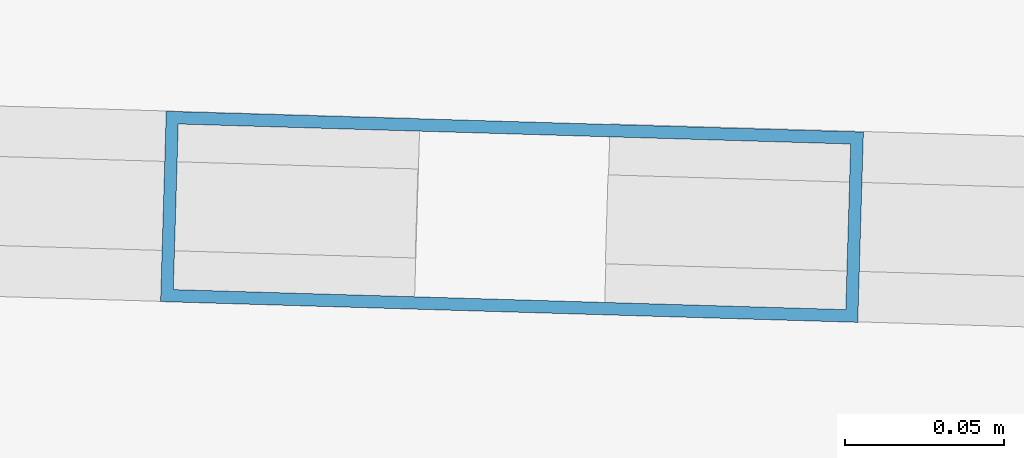
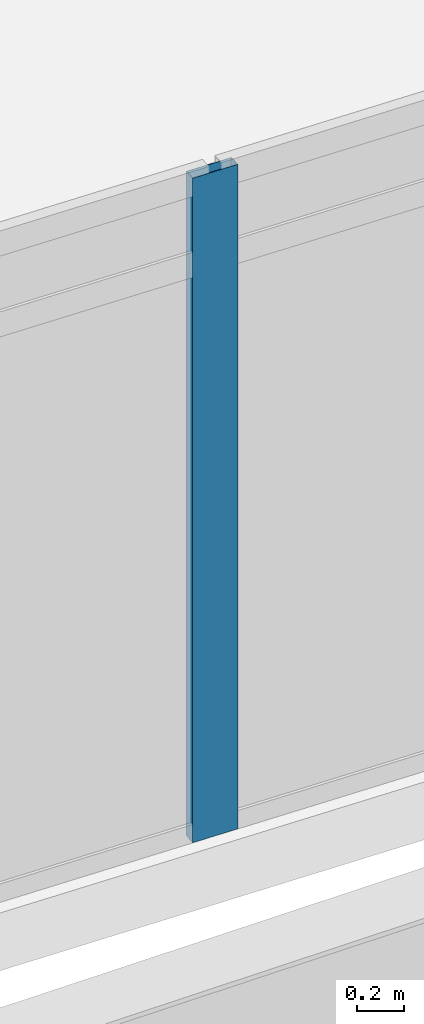
# One storey, part 7 of 37: 1 member, 1 element without a shape of its own.
"""IFC4 building model written with IfcOpenShell, lengths in metres."""

import ifcopenshell
import ifcopenshell.guid

model = None  # the IFC model being written
_history = None  # IfcOwnerHistory: only IFC2X3 demands one
_inside = {}  # id of a spatial element -> (the spatial element, [elements in it])
_under = {}  # id of a project, library or spatial element -> (it, [spatial elements below it])
_declared = {}  # id of a project -> (the project, [libraries it declares])
_typed = {}  # id of a type object -> (the type object, [elements of that type])
_made_of = {}  # id of a material, layer set ... -> (it, [elements and type objects made of it])


def new_model(schema):
    """Start an empty IFC model of exactly this schema.

    Asked for "IFC4X3", IfcOpenShell would pick the latest addendum, in which some entities
    have other attributes; the version numbers below select the first issue.
    IFC2X3 requires an IfcOwnerHistory on every rooted entity: one is made here for all.
    """
    global model, _history
    if schema == "IFC4X3":
        model = ifcopenshell.file(schema_version=(4, 3, 0, 0))
    else:
        model = ifcopenshell.file(schema=schema)
    _inside.clear()
    _under.clear()
    _declared.clear()
    _typed.clear()
    _made_of.clear()
    _history = None
    if model.schema == "IFC2X3":
        org = make("IfcOrganization", Name="unknown")
        user = make(
            "IfcPersonAndOrganization",
            ThePerson=make("IfcPerson", FamilyName="unknown"),
            TheOrganization=org,
        )
        app = make(
            "IfcApplication",
            ApplicationDeveloper=org,
            Version="unknown",
            ApplicationFullName="unknown",
            ApplicationIdentifier="unknown",
        )
        _history = make(
            "IfcOwnerHistory",
            OwningUser=user,
            OwningApplication=app,
            ChangeAction="ADDED",
            CreationDate=0,
        )
    return model


def make(cls, **values):
    """One entity of the class cls with the attributes given. An attribute that is None is left unset."""
    return model.create_entity(
        cls, **{name: value for name, value in values.items() if value is not None}
    )


def rooted(cls, **values):
    """An entity with a GlobalId (a new one), such as an element, a storey or a relation."""
    return make(cls, GlobalId=ifcopenshell.guid.new(), OwnerHistory=_history, **values)


def si_unit(unit_type, name, prefix=None):
    """IfcSIUnit, for example si_unit("LENGTHUNIT", "METRE", prefix="MILLI")."""
    return make("IfcSIUnit", UnitType=unit_type, Prefix=prefix, Name=name)


def assignment(units):
    """IfcUnitAssignment: the units of a project."""
    return None if units is None else make("IfcUnitAssignment", Units=units)


def point(xyz):
    """IfcCartesianPoint."""
    return None if xyz is None else make("IfcCartesianPoint", Coordinates=xyz)


def direction(xyz):
    """IfcDirection."""
    return None if xyz is None else make("IfcDirection", DirectionRatios=xyz)


def frame(location, z_axis=None, x_axis=None):
    """IfcAxis2Placement3D, a coordinate frame: its origin and axes. An axis left out is left unset."""
    return make(
        "IfcAxis2Placement3D",
        Location=point(location),
        Axis=direction(z_axis),
        RefDirection=direction(x_axis),
    )


def frame_2d(location, x_axis=None):
    """IfcAxis2Placement2D, a coordinate frame in the plane: its origin and x axis."""
    return make(
        "IfcAxis2Placement2D", Location=point(location), RefDirection=direction(x_axis)
    )


def origin():
    """The frame at (0, 0, 0) with its axes left unset."""
    return frame((0.0, 0.0, 0.0))


def origin_2d():
    """The frame at (0, 0) in the plane with its x axis left unset."""
    return frame_2d((0.0, 0.0))


def place(relative_to, where):
    """IfcLocalPlacement: puts the frame where relative to a parent placement (None: the world)."""
    return make(
        "IfcLocalPlacement", PlacementRelTo=relative_to, RelativePlacement=where
    )


def context(
    kind, dimensions, precision=None, world=None, true_north=None, identifier=None
):
    """IfcGeometricRepresentationContext, for example the 3D "Model" context."""
    return make(
        "IfcGeometricRepresentationContext",
        ContextIdentifier=identifier,
        ContextType=kind,
        CoordinateSpaceDimension=dimensions,
        Precision=precision,
        WorldCoordinateSystem=world,
        TrueNorth=true_north,
    )


def subcontext(parent, identifier, kind, view, scale=None):
    """IfcGeometricRepresentationSubContext, for example "Body" below "Model"."""
    return make(
        "IfcGeometricRepresentationSubContext",
        ContextIdentifier=identifier,
        ContextType=kind,
        ParentContext=parent,
        TargetScale=scale,
        TargetView=view,
    )


def project(units=None, contexts=None):
    """IfcProject with its units and contexts."""
    return rooted(
        "IfcProject",
        Name="project",
        RepresentationContexts=contexts,
        UnitsInContext=assignment(units),
    )


def spatial(cls, under=None, at=None, **own):
    """A site, building, storey or space (cls), placed at a placement, below another one or the project."""
    s = rooted(cls, ObjectPlacement=at, **own)
    if under is not None:
        _under.setdefault(under.id(), (under, []))[1].append(s)
    return s


def profile(cls, at=None, kind="AREA", **sizes):
    """A parametric profile (cls). Its sizes go by their IFC names, for example OverallWidth=200.0."""
    return make(cls, ProfileType=kind, Position=at, **sizes)


def hollow_rectangle(**sizes):
    """IfcRectangleHollowProfileDef."""
    return profile("IfcRectangleHollowProfileDef", **sizes)


def extrude(swept, where, along, depth):
    """IfcExtrudedAreaSolid: the profile swept, set in the frame where, extruded along a direction by depth."""
    return make(
        "IfcExtrudedAreaSolid",
        SweptArea=swept,
        Position=where,
        ExtrudedDirection=direction(along),
        Depth=depth,
    )


def shape(context_of_items, identifier, shape_type, items):
    """IfcShapeRepresentation: the items that make up one representation, for example the "Body"."""
    return make(
        "IfcShapeRepresentation",
        ContextOfItems=context_of_items,
        RepresentationIdentifier=identifier,
        RepresentationType=shape_type,
        Items=items,
    )


def material(Name=None, Category=None):
    """IfcMaterial."""
    return make("IfcMaterial", Name=Name, Category=Category)


def material_profile(
    of_material, cross_section, Name=None, Category=None, Priority=None
):
    """IfcMaterialProfile: a cross section and its material."""
    return make(
        "IfcMaterialProfile",
        Name=Name,
        Material=of_material,
        Profile=cross_section,
        Priority=Priority,
        Category=Category,
    )


def profile_set(profiles, Name=None, composite=None):
    """IfcMaterialProfileSet."""
    return make(
        "IfcMaterialProfileSet",
        Name=Name,
        MaterialProfiles=profiles,
        CompositeProfile=composite,
    )


def made_of(thing, what):
    """Note that an element or type object is made of a material, layer set ...; save() writes the relation."""
    if what is not None:
        _made_of.setdefault(what.id(), (what, []))[1].append(thing)
    return thing


def type_object(cls, material=None, **own):
    """A type object (cls), such as IfcWallType, which elements share."""
    return made_of(rooted(cls, **own), material)


def element(
    cls,
    number,
    at=None,
    inside=None,
    cuts=None,
    type_object=None,
    material=None,
    context=None,
    identifier="Body",
    shape_type=None,
    held_by="IfcProductDefinitionShape",
    body=None,
    shapes=None,
    **own,
):
    """One element of the class cls, such as IfcWall. Its Tag is "e" and its number.

    at: its placement. inside: the storey or other place that contains it. cuts: it is an
    opening in that element (IfcRelVoidsElement). A single representation is given by context,
    identifier, shape_type and body (its items); several are given by shapes. held_by: the class
    of the entity that holds the representations. save() writes the other relations.
    """
    e = rooted(cls, Tag="e%d" % number, ObjectPlacement=at, **own)
    if body is not None:
        shapes = [shape(context, identifier, shape_type, body)]
    if shapes is not None:
        e.Representation = make(held_by, Representations=shapes)
    if inside is not None:
        _inside.setdefault(inside.id(), (inside, []))[1].append(e)
    if cuts is not None:
        rooted(
            "IfcRelVoidsElement", RelatingBuildingElement=cuts, RelatedOpeningElement=e
        )
    if type_object is not None:
        _typed.setdefault(type_object.id(), (type_object, []))[1].append(e)
    return made_of(e, material)


def aggregate(whole, parts):
    """IfcRelAggregates: a whole, such as a stair, and the parts it consists of."""
    return rooted("IfcRelAggregates", RelatingObject=whole, RelatedObjects=parts)


def save(model, path):
    """Write the relations noted so far, then the file.

    IfcRelAggregates (storeys below a building ...), IfcRelContainedInSpatialStructure (elements
    in a storey), IfcRelDefinesByType, IfcRelAssociatesMaterial and IfcRelDeclares: one each for
    every whole, place, type object, material and project.
    """
    for whole, parts in _under.values():
        aggregate(whole, parts)
    for where, things in _inside.values():
        rooted(
            "IfcRelContainedInSpatialStructure",
            RelatedElements=things,
            RelatingStructure=where,
        )
    for kind, things in _typed.values():
        rooted("IfcRelDefinesByType", RelatedObjects=things, RelatingType=kind)
    for what, things in _made_of.values():
        rooted("IfcRelAssociatesMaterial", RelatedObjects=things, RelatingMaterial=what)
    for by, libraries in _declared.values():
        rooted("IfcRelDeclares", RelatingContext=by, RelatedDefinitions=libraries)
    model.write(path)


model = new_model("IFC4")

# Units and contexts
model_context = context("Model", 3, precision=1e-05, world=origin(), true_north=direction((0.0, 1.0)))
body_context = subcontext(model_context, "Body", "Model", "MODEL_VIEW")
ifc_project = project(units=[si_unit("LENGTHUNIT", "METRE"), si_unit("AREAUNIT", "SQUARE_METRE"), si_unit("VOLUMEUNIT", "CUBIC_METRE"), si_unit("PLANEANGLEUNIT", "RADIAN"), si_unit("MASSUNIT", "GRAM", prefix="KILO")], contexts=[model_context])

# Site, building, storey
site_placement = place(None, origin())
site = spatial("IfcSite", under=ifc_project, at=site_placement, CompositionType="ELEMENT")
building_placement = place(site_placement, origin())
building = spatial("IfcBuilding", under=site, at=building_placement, Name="Ostrander Bayou Hotel Tower", CompositionType="ELEMENT")
storey_placement = place(building_placement, frame((0.0, 0.0, 93.0)))
storey = spatial("IfcBuildingStorey", under=building, at=storey_placement, Name="L23", CompositionType="ELEMENT", Elevation=93.0)

# Curtain wall, member
ifc_material_1 = material(Name="Aluminium and clear glass", Category="aluminium")
curtain_wall_type = type_object("IfcCurtainWallType", Name="CW-BAR glazed wall", PredefinedType="NOTDEFINED", material=ifc_material_1)
curtain_wall_placement = place(storey_placement, origin())
curtain_wall = element("IfcCurtainWall", 1, at=curtain_wall_placement, inside=storey, type_object=curtain_wall_type, Name="CW-BAR L23:SB2S:T", PredefinedType="NOTDEFINED")
ifc_material_2 = material(Name="Aluminium", Category="aluminium")
ifc_material_profile = material_profile(ifc_material_2, hollow_rectangle(XDim=0.06005859375, YDim=0.219970703125, WallThickness=0.00390625, at=origin_2d()))
ifc_profile_set = profile_set([ifc_material_profile], Name="Aluminium")
member_type = type_object("IfcMemberType", Name="CW-BR mullion 60 x 220 mm", PredefinedType="MULLION", material=ifc_profile_set)
member_placement = place(storey_placement, frame((1.0283203125, -31.730712890625, 0.0), z_axis=(0.0, 0.0, 1.0), x_axis=(0.029746242041, 0.999557482631, 0.0)))
member = element("IfcMember", 2, at=member_placement, type_object=member_type, Name="CW-BAR mullion 8", PredefinedType="MULLION", context=body_context, shape_type="SweptSolid", body=[
    extrude(hollow_rectangle(XDim=0.06005859375, YDim=0.219970703125, WallThickness=0.00390625, at=origin_2d()), origin(), (0.0, 0.0, 1.0), 3.449951171875),
])
aggregate(curtain_wall, [member])

save(model, "model.ifc")
